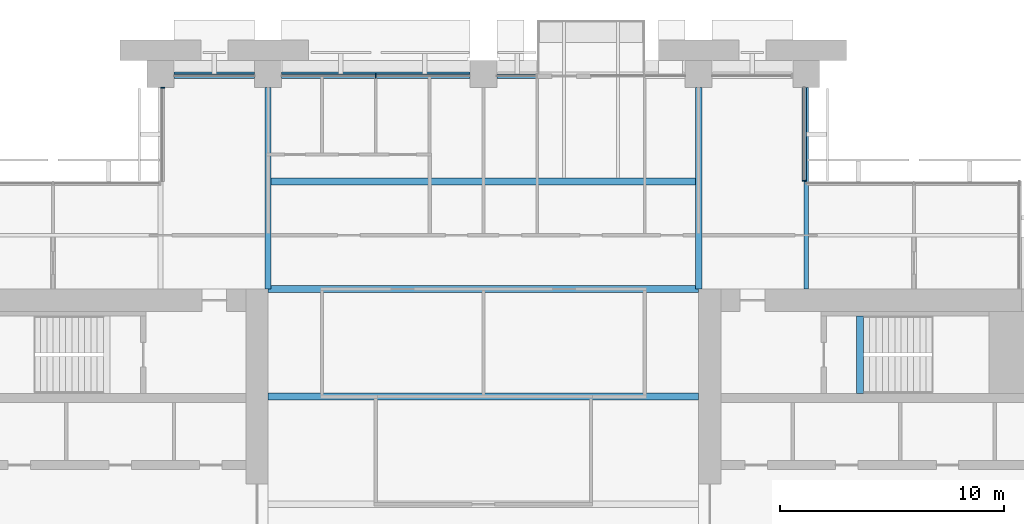
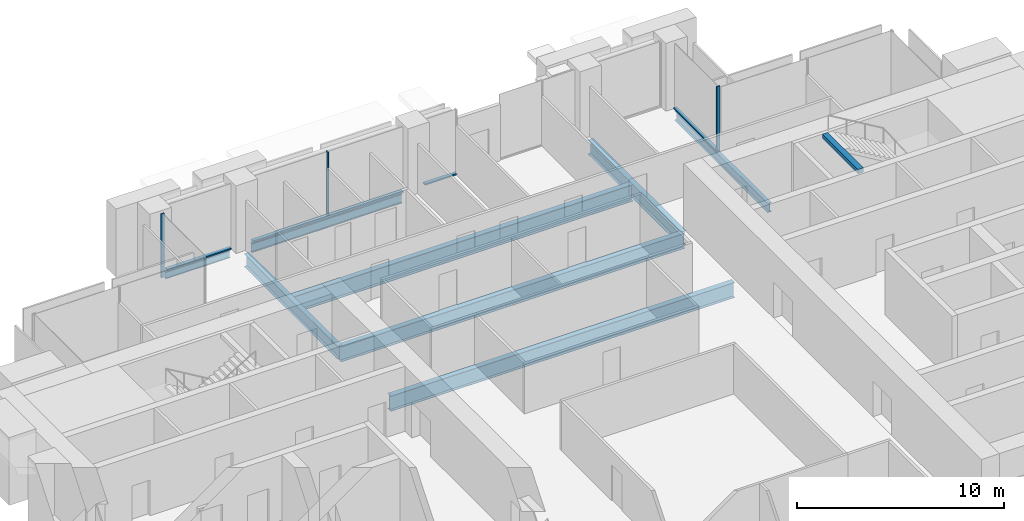
# One storey, part 6 of 15: 9 beams, 7 members, 3 elements without a shape of their own.
"""IFC4 building model written with IfcOpenShell, lengths in metres."""

from ifc_helpers import new_model, si_unit, direction, frame, origin, origin_2d, place, context, subcontext, project, spatial, rectangle, i_section, extrude, material, material_profile, profile_set, type_object, element, aggregate, save


model = new_model("IFC4")

# Units and contexts
model_context = context("Model", 3, precision=1e-05, world=origin(), true_north=direction((0.0, 1.0)))
body_context = subcontext(model_context, "Body", "Model", "MODEL_VIEW")
ifc_project = project(units=[si_unit("LENGTHUNIT", "METRE"), si_unit("AREAUNIT", "SQUARE_METRE"), si_unit("VOLUMEUNIT", "CUBIC_METRE"), si_unit("PLANEANGLEUNIT", "RADIAN"), si_unit("MASSUNIT", "GRAM", prefix="KILO")], contexts=[model_context])

# Site, building, storey
site_placement = place(None, origin())
site = spatial("IfcSite", under=ifc_project, at=site_placement, CompositionType="ELEMENT")
building_placement = place(site_placement, origin())
building = spatial("IfcBuilding", under=site, at=building_placement, Name="Baori Bourse Tower", CompositionType="ELEMENT")
storey_placement = place(building_placement, frame((0.0, 0.0, 140.10009765625)))
storey = spatial("IfcBuildingStorey", under=building, at=storey_placement, Name="L30", CompositionType="ELEMENT", Elevation=140.10009765625)

# Curtain wall, members
ifc_material_1 = material(Name="Pale anodised aluminium", Category="aluminium")
curtain_wall_type_1 = type_object("IfcCurtainWallType", Name="CW1 Curtain wall", PredefinedType="NOTDEFINED", material=ifc_material_1)
curtain_wall_1_placement = place(storey_placement, origin())
curtain_wall_1 = element("IfcCurtainWall", 1, at=curtain_wall_1_placement, inside=storey, type_object=curtain_wall_type_1, Name="Curtain wall CW1 L30 6", PredefinedType="NOTDEFINED")
ifc_material_2 = material(Name="Pale anodised aluminium", Category="aluminium")
ifc_material_profile_1 = material_profile(ifc_material_2, rectangle(XDim=0.199951171875, YDim=0.06005859375, at=origin_2d()), Name="Mullion 60x200")
ifc_profile_set_1 = profile_set([ifc_material_profile_1], Name="Pale anodised aluminium")
member_type_1 = type_object("IfcMemberType", Name="CW1 Curtain wall mullion", PredefinedType="MULLION", material=ifc_profile_set_1)
member_1_placement = place(storey_placement, frame((24.0, 47.89990234375, 0.079833984375), z_axis=(0.0, 0.0, 1.0), x_axis=(0.0, -1.0, 0.0)))
member_1 = element("IfcMember", 2, at=member_1_placement, type_object=member_type_1, Name="Curtain wall CW1 mullion", PredefinedType="MULLION", context=body_context, shape_type="SweptSolid", body=[
    extrude(rectangle(XDim=0.199951171875, YDim=0.06005859375, at=origin_2d()), origin(), (0.0, 0.0, 1.0), 3.760009765625),
])
ifc_material_3 = material(Name="Pale anodised aluminium", Category="aluminium")
ifc_material_profile_2 = material_profile(ifc_material_3, rectangle(XDim=0.199951171875, YDim=0.080078125, at=origin_2d()), Name="Transom 80x200")
ifc_profile_set_2 = profile_set([ifc_material_profile_2], Name="Pale anodised aluminium")
member_type_2 = type_object("IfcMemberType", Name="CW1 Curtain wall transom", PredefinedType="USERDEFINED", material=ifc_profile_set_2)
member_2_placement = place(storey_placement, frame((31.199951171875, 47.89990234375, 0.039794921875), z_axis=(-1.0, 0.0, 0.0), x_axis=(0.0, -1.0, 0.0)))
member_2 = element("IfcMember", 3, at=member_2_placement, type_object=member_type_2, Name="Curtain wall CW1 sill rail", ObjectType="TRANSOM", PredefinedType="USERDEFINED", context=body_context, shape_type="SweptSolid", body=[
    extrude(rectangle(XDim=0.199951171875, YDim=0.080078125, at=origin_2d()), origin(), (0.0, 0.0, 1.0), 1.800048828125),
])
member_3_placement = place(storey_placement, frame((28.199951171875, 47.89990234375, 0.039794921875), z_axis=(-1.0, 0.0, 0.0), x_axis=(0.0, -1.0, 0.0)))
member_3 = element("IfcMember", 4, at=member_3_placement, type_object=member_type_2, Name="Curtain wall CW1 sill rail", ObjectType="TRANSOM", PredefinedType="USERDEFINED", context=body_context, shape_type="SweptSolid", body=[
    extrude(rectangle(XDim=0.199951171875, YDim=0.080078125, at=origin_2d()), origin(), (0.0, 0.0, 1.0), 8.39990234375),
])
member_4_placement = place(storey_placement, frame((18.60009765625, 47.89990234375, 0.039794921875), z_axis=(-1.0, 0.0, 0.0), x_axis=(0.0, -1.0, 0.0)))
member_4 = element("IfcMember", 5, at=member_4_placement, type_object=member_type_2, Name="Curtain wall CW1 sill rail", ObjectType="TRANSOM", PredefinedType="USERDEFINED", context=body_context, shape_type="SweptSolid", body=[
    extrude(rectangle(XDim=0.199951171875, YDim=0.080078125, at=origin_2d()), origin(), (0.0, 0.0, 1.0), 3.60009765625),
])
aggregate(curtain_wall_1, [member_2, member_3, member_1, member_4])

# Curtain wall, member
ifc_material_4 = material(Name="Pale anodised aluminium", Category="aluminium")
curtain_wall_type_2 = type_object("IfcCurtainWallType", Name="CW2 Curtain wall", PredefinedType="NOTDEFINED", material=ifc_material_4)
curtain_wall_2_placement = place(storey_placement, origin())
curtain_wall_2 = element("IfcCurtainWall", 6, at=curtain_wall_2_placement, inside=storey, type_object=curtain_wall_type_2, Name="Curtain wall CW2 L30 3", PredefinedType="NOTDEFINED")
ifc_material_5 = material(Name="Pale anodised aluminium", Category="aluminium")
ifc_material_profile_3 = material_profile(ifc_material_5, rectangle(XDim=0.179931640625, YDim=0.054931640625, at=origin_2d()), Name="Mullion 55x180")
ifc_profile_set_3 = profile_set([ifc_material_profile_3], Name="Pale anodised aluminium")
member_type_3 = type_object("IfcMemberType", Name="CW2 Curtain wall mullion", PredefinedType="MULLION", material=ifc_profile_set_3)
member_5_placement = place(storey_placement, frame((43.110107421875, 43.2275390625, 0.06982421875), z_axis=(0.0, 0.0, 1.0), x_axis=(-1.0, 0.0, 0.0)))
member_5 = element("IfcMember", 7, at=member_5_placement, type_object=member_type_3, Name="Curtain wall CW2 mullion", PredefinedType="MULLION", context=body_context, shape_type="SweptSolid", body=[
    extrude(rectangle(XDim=0.179931640625, YDim=0.054931640625, at=origin_2d()), origin(), (0.0, 0.0, 1.0), 3.77001953125),
])

curtain_wall_3_placement = place(storey_placement, origin())
curtain_wall_3 = element("IfcCurtainWall", 8, at=curtain_wall_3_placement, inside=storey, type_object=curtain_wall_type_2, Name="Curtain wall CW2 L30 7", PredefinedType="NOTDEFINED")
member_6_placement = place(storey_placement, frame((14.489990234375, 47.37255859375, 0.06982421875), z_axis=(0.0, 0.0, 1.0), x_axis=(1.0, 0.0, 0.0)))
member_6 = element("IfcMember", 9, at=member_6_placement, type_object=member_type_3, Name="Curtain wall CW2 mullion", PredefinedType="MULLION", context=body_context, shape_type="SweptSolid", body=[
    extrude(rectangle(XDim=0.179931640625, YDim=0.054931640625, at=origin_2d()), origin(), (0.0, 0.0, 1.0), 3.77001953125),
])
aggregate(curtain_wall_3, [member_6])

# Member
ifc_material_6 = material(Name="Pale anodised aluminium", Category="aluminium")
ifc_material_profile_4 = material_profile(ifc_material_6, rectangle(XDim=0.179931640625, YDim=0.070068359375, at=origin_2d()), Name="Transom 70x180")
ifc_profile_set_4 = profile_set([ifc_material_profile_4], Name="Pale anodised aluminium")
member_type_4 = type_object("IfcMemberType", Name="CW2 Curtain wall transom", PredefinedType="USERDEFINED", material=ifc_profile_set_4)
member_7_placement = place(storey_placement, frame((43.110107421875, 43.199951171875, 0.034912109375), z_axis=(0.0, 1.0, 0.0), x_axis=(-1.0, 0.0, 0.0)))
member_7 = element("IfcMember", 10, at=member_7_placement, type_object=member_type_4, Name="Curtain wall CW2 sill rail", ObjectType="TRANSOM", PredefinedType="USERDEFINED", context=body_context, shape_type="SweptSolid", body=[
    extrude(rectangle(XDim=0.179931640625, YDim=0.070068359375, at=origin_2d()), origin(), (0.0, 0.0, 1.0), 4.199951171875),
])

aggregate(curtain_wall_2, [member_7, member_5])

# Beams
ifc_material_7 = material(Name="Steel A992 Gr 50", Category="steel")
ifc_material_profile_5 = material_profile(ifc_material_7, i_section(OverallWidth=0.140380859375, OverallDepth=0.40380859375, WebThickness=0.007080078125, FlangeThickness=0.01123046875, at=origin_2d()), Name="W16x31")
ifc_profile_set_5 = profile_set([ifc_material_profile_5], Name="Steel A992 Gr 50")
beam_type_1 = type_object("IfcBeamType", Name="Edge beam W16x31", PredefinedType="BEAM", material=ifc_profile_set_5)
beam_1_placement = place(storey_placement, frame((15.0, 48.0, -0.362060546875), z_axis=(1.0, 0.0, 0.0), x_axis=(0.0, 1.0, 0.0)))
element("IfcBeam", 11, at=beam_1_placement, inside=storey, type_object=beam_type_1, Name="Edge beam L30", PredefinedType="BEAM", context=body_context, shape_type="SweptSolid", body=[
    extrude(i_section(OverallWidth=0.140380859375, OverallDepth=0.40380859375, WebThickness=0.007080078125, FlangeThickness=0.01123046875, at=origin_2d()), origin(), (0.0, 0.0, 1.0), 3.60009765625),
])
ifc_material_8 = material(Name="Steel A992 Gr 50", Category="steel")
ifc_material_profile_6 = material_profile(ifc_material_8, i_section(OverallWidth=0.1650390625, OverallDepth=0.52587890625, WebThickness=0.0087890625, FlangeThickness=0.011474609375, at=origin_2d()), Name="W21x44")
ifc_profile_set_6 = profile_set([ifc_material_profile_6], Name="Steel A992 Gr 50")
beam_type_2 = type_object("IfcBeamType", Name="Edge beam W21x44", PredefinedType="BEAM", material=ifc_profile_set_6)
beam_2_placement = place(storey_placement, frame((19.800048828125, 48.0, -0.423095703125), z_axis=(1.0, 0.0, 0.0), x_axis=(0.0, 1.0, 0.0)))
element("IfcBeam", 12, at=beam_2_placement, inside=storey, type_object=beam_type_2, Name="Edge beam L30", PredefinedType="BEAM", context=body_context, shape_type="SweptSolid", body=[
    extrude(i_section(OverallWidth=0.1650390625, OverallDepth=0.52587890625, WebThickness=0.0087890625, FlangeThickness=0.011474609375, at=origin_2d()), origin(), (0.0, 0.0, 1.0), 8.39990234375),
])
ifc_material_9 = material(Name="Steel A992 Gr 50", Category="steel")
ifc_material_profile_7 = material_profile(ifc_material_9, i_section(OverallWidth=0.21240234375, OverallDepth=0.54345703125, WebThickness=0.01318359375, FlangeThickness=0.021240234375, at=origin_2d()), Name="W21x83")
ifc_profile_set_7 = profile_set([ifc_material_profile_7], Name="Steel A992 Gr 50")
beam_type_3 = type_object("IfcBeamType", Name="Floor beam W21x83", PredefinedType="BEAM", material=ifc_profile_set_7)
beam_3_placement = place(storey_placement, frame((43.199951171875, 38.39990234375, -0.431884765625), z_axis=(0.0, 1.0, 0.0), x_axis=(-1.0, 0.0, 0.0)))
element("IfcBeam", 13, at=beam_3_placement, inside=storey, type_object=beam_type_3, Name="Floor beam L30", PredefinedType="BEAM", context=body_context, shape_type="SweptSolid", body=[
    extrude(i_section(OverallWidth=0.21240234375, OverallDepth=0.54345703125, WebThickness=0.01318359375, FlangeThickness=0.021240234375, at=origin_2d()), origin(), (0.0, 0.0, 1.0), 9.0),
])
ifc_material_10 = material(Name="Steel A992 Gr 50", Category="steel")
ifc_material_profile_8 = material_profile(ifc_material_10, i_section(OverallWidth=0.3046875, OverallDepth=0.904296875, WebThickness=0.01513671875, FlangeThickness=0.02001953125, at=origin_2d()), Name="W36x135")
ifc_profile_set_8 = profile_set([ifc_material_profile_8], Name="Steel A992 Gr 50")
beam_type_4 = type_object("IfcBeamType", Name="Floor beam W36x135", PredefinedType="BEAM", material=ifc_profile_set_8)
for number, where, z_axis, x_axis, name in (
    (14, (19.199951171875, 33.60009765625, -0.6123046875), (1.0, 0.0, 0.0), (0.0, 1.0, 0.0), "Floor beam L30"),
    (15, (19.199951171875, 38.39990234375, -0.6123046875), (1.0, 0.0, 0.0), (0.0, 1.0, 0.0), "Floor beam L30"),
):
    element("IfcBeam", number, at=place(storey_placement, frame(where, z_axis=z_axis, x_axis=x_axis)), inside=storey, type_object=beam_type_4, Name=name, PredefinedType="BEAM", context=body_context, shape_type="SweptSolid", body=[
        extrude(i_section(OverallWidth=0.3046875, OverallDepth=0.904296875, WebThickness=0.01513671875, FlangeThickness=0.02001953125, at=origin_2d()), origin(), (0.0, 0.0, 1.0), 19.199951171875),
    ])
ifc_material_11 = material(Name="Steel A992 Gr 50", Category="steel")
ifc_material_profile_9 = material_profile(ifc_material_11, i_section(OverallWidth=0.2998046875, OverallDepth=0.990478515625, WebThickness=0.0166015625, FlangeThickness=0.030517578125, at=origin_2d()), Name="W40x183")
ifc_profile_set_9 = profile_set([ifc_material_profile_9], Name="Steel A992 Gr 50")
beam_type_5 = type_object("IfcBeamType", Name="Floor beam W40x183", PredefinedType="BEAM", material=ifc_profile_set_9)
beam_4_placement = place(storey_placement, frame((19.333251953125, 43.199951171875, -0.655517578125), z_axis=(1.0, 0.0, 0.0), x_axis=(0.0, 1.0, 0.0)))
element("IfcBeam", 16, at=beam_4_placement, inside=storey, type_object=beam_type_5, Name="Floor beam L30", PredefinedType="BEAM", context=body_context, shape_type="SweptSolid", body=[
    extrude(i_section(OverallWidth=0.2998046875, OverallDepth=0.990478515625, WebThickness=0.0166015625, FlangeThickness=0.030517578125, at=origin_2d()), origin(), (0.0, 0.0, 1.0), 18.920654296875),
])
ifc_material_12 = material(Name="Steel A992 Gr 50", Category="steel")
ifc_material_profile_10 = material_profile(ifc_material_12, i_section(OverallWidth=0.2666015625, OverallDepth=0.7568359375, WebThickness=0.013916015625, FlangeThickness=0.019287109375, at=origin_2d()), Name="W30x108")
ifc_profile_set_10 = profile_set([ifc_material_profile_10], Name="Steel A992 Gr 50")
beam_type_6 = type_object("IfcBeamType", Name="Girder W30x108", PredefinedType="BEAM", material=ifc_profile_set_10)
beam_5_placement = place(storey_placement, frame((19.199951171875, 38.39990234375, -0.53857421875), z_axis=(0.0, 1.0, 0.0), x_axis=(-1.0, 0.0, 0.0)))
element("IfcBeam", 17, at=beam_5_placement, inside=storey, type_object=beam_type_6, Name="Girder L30", PredefinedType="BEAM", context=body_context, shape_type="SweptSolid", body=[
    extrude(i_section(OverallWidth=0.2666015625, OverallDepth=0.7568359375, WebThickness=0.013916015625, FlangeThickness=0.019287109375, at=origin_2d()), origin(), (0.0, 0.0, 1.0), 9.0),
])
ifc_material_13 = material(Name="Steel A992 Gr 50", Category="steel")
ifc_material_profile_11 = material_profile(ifc_material_13, i_section(OverallWidth=0.2919921875, OverallDepth=0.835693359375, WebThickness=0.013916015625, FlangeThickness=0.018798828125, at=origin_2d()), Name="W33x118")
ifc_profile_set_11 = profile_set([ifc_material_profile_11], Name="Steel A992 Gr 50")
beam_type_7 = type_object("IfcBeamType", Name="Girder W33x118", PredefinedType="BEAM", material=ifc_profile_set_11)
beam_6_placement = place(storey_placement, frame((38.39990234375, 38.39990234375, -0.577880859375), z_axis=(0.0, 1.0, 0.0), x_axis=(-1.0, 0.0, 0.0)))
element("IfcBeam", 18, at=beam_6_placement, inside=storey, type_object=beam_type_7, Name="Girder L30", PredefinedType="BEAM", context=body_context, shape_type="SweptSolid", body=[
    extrude(i_section(OverallWidth=0.2919921875, OverallDepth=0.835693359375, WebThickness=0.013916015625, FlangeThickness=0.018798828125, at=origin_2d()), origin(), (0.0, 0.0, 1.0), 9.0),
])
ifc_material_14 = material(Name="Concrete f'c 50 MPa", Category="concrete")
ifc_material_profile_12 = material_profile(ifc_material_14, rectangle(XDim=0.300048828125, YDim=0.25, at=origin_2d()), Name="RC 300x250")
ifc_profile_set_12 = profile_set([ifc_material_profile_12], Name="Concrete f'c 50 MPa")
beam_type_8 = type_object("IfcBeamType", Name="Stair nib beam RC 300x250", PredefinedType="BEAM", material=ifc_profile_set_12)
beam_7_placement = place(storey_placement, frame((45.60009765625, 33.75, 3.71484375), z_axis=(0.0, 1.0, 0.0), x_axis=(-1.0, 0.0, 0.0)))
element("IfcBeam", 19, at=beam_7_placement, inside=storey, type_object=beam_type_8, Name="Stair EB nib beam L31", PredefinedType="BEAM", context=body_context, shape_type="SweptSolid", body=[
    extrude(rectangle(XDim=0.300048828125, YDim=0.25, at=origin_2d()), origin(), (0.0, 0.0, 1.0), 3.449951171875),
])

save(model, "model.ifc")
